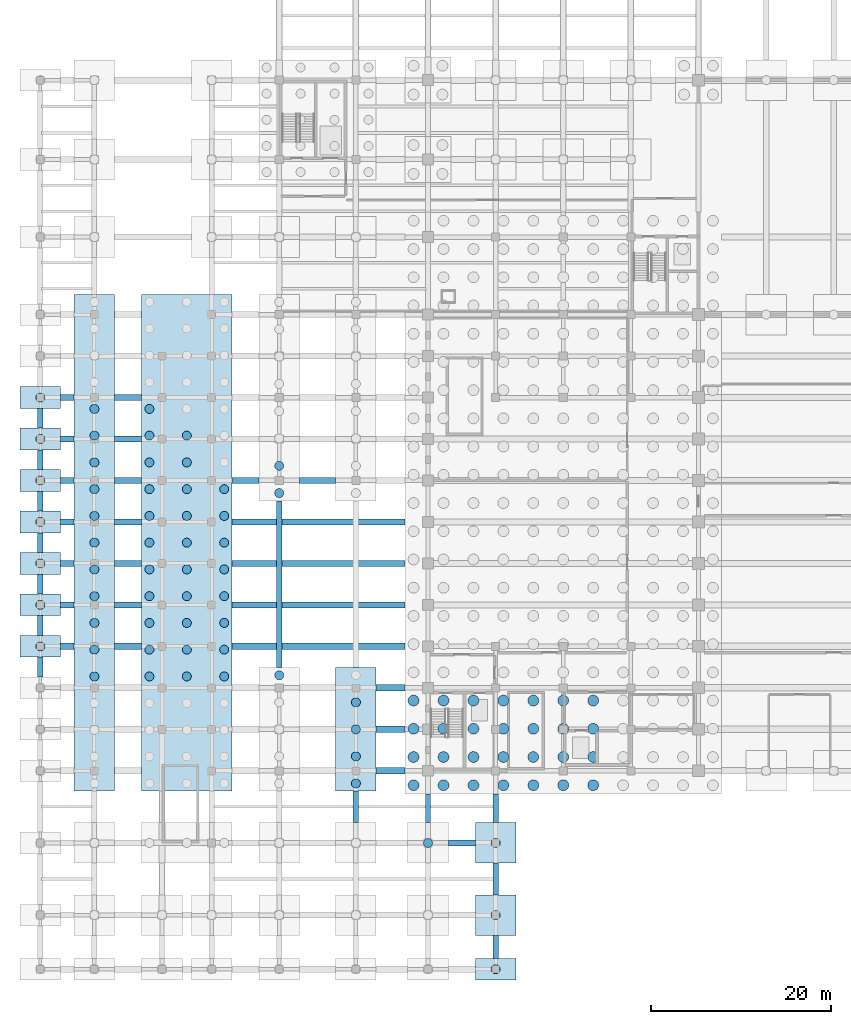
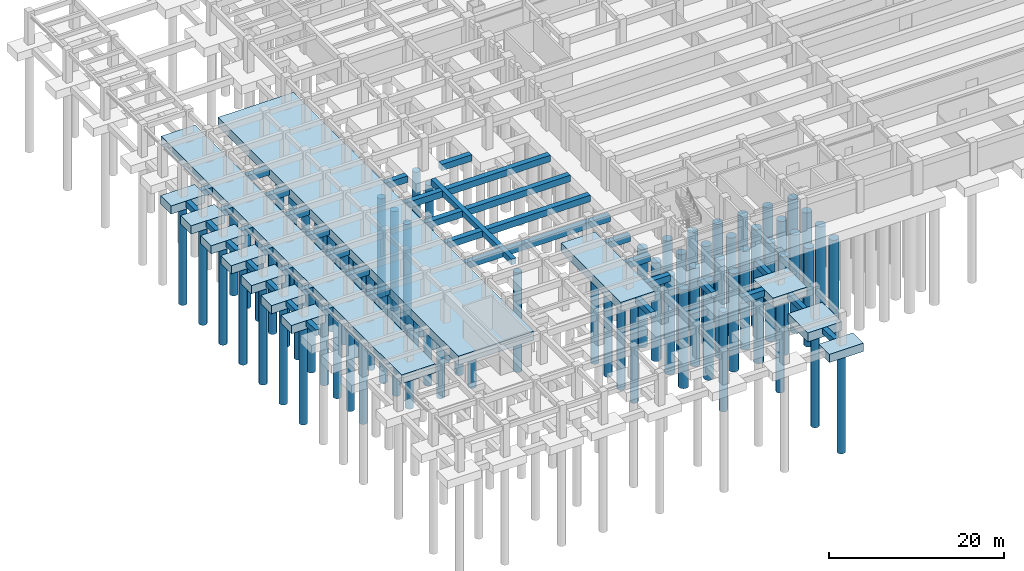
# One storey, part 2 of 32: 86 piles, 50 footings.
"""IFC4 building model written with IfcOpenShell, lengths in metres."""

import ifcopenshell
import ifcopenshell.guid

model = None  # the IFC model being written
_history = None  # IfcOwnerHistory: only IFC2X3 demands one
_inside = {}  # id of a spatial element -> (the spatial element, [elements in it])
_under = {}  # id of a project, library or spatial element -> (it, [spatial elements below it])
_declared = {}  # id of a project -> (the project, [libraries it declares])
_typed = {}  # id of a type object -> (the type object, [elements of that type])
_made_of = {}  # id of a material, layer set ... -> (it, [elements and type objects made of it])


def new_model(schema):
    """Start an empty IFC model of exactly this schema.

    Asked for "IFC4X3", IfcOpenShell would pick the latest addendum, in which some entities
    have other attributes; the version numbers below select the first issue.
    IFC2X3 requires an IfcOwnerHistory on every rooted entity: one is made here for all.
    """
    global model, _history
    if schema == "IFC4X3":
        model = ifcopenshell.file(schema_version=(4, 3, 0, 0))
    else:
        model = ifcopenshell.file(schema=schema)
    _inside.clear()
    _under.clear()
    _declared.clear()
    _typed.clear()
    _made_of.clear()
    _history = None
    if model.schema == "IFC2X3":
        org = make("IfcOrganization", Name="unknown")
        user = make(
            "IfcPersonAndOrganization",
            ThePerson=make("IfcPerson", FamilyName="unknown"),
            TheOrganization=org,
        )
        app = make(
            "IfcApplication",
            ApplicationDeveloper=org,
            Version="unknown",
            ApplicationFullName="unknown",
            ApplicationIdentifier="unknown",
        )
        _history = make(
            "IfcOwnerHistory",
            OwningUser=user,
            OwningApplication=app,
            ChangeAction="ADDED",
            CreationDate=0,
        )
    return model


def make(cls, **values):
    """One entity of the class cls with the attributes given. An attribute that is None is left unset."""
    return model.create_entity(
        cls, **{name: value for name, value in values.items() if value is not None}
    )


def rooted(cls, **values):
    """An entity with a GlobalId (a new one), such as an element, a storey or a relation."""
    return make(cls, GlobalId=ifcopenshell.guid.new(), OwnerHistory=_history, **values)


def si_unit(unit_type, name, prefix=None):
    """IfcSIUnit, for example si_unit("LENGTHUNIT", "METRE", prefix="MILLI")."""
    return make("IfcSIUnit", UnitType=unit_type, Prefix=prefix, Name=name)


def assignment(units):
    """IfcUnitAssignment: the units of a project."""
    return None if units is None else make("IfcUnitAssignment", Units=units)


def point(xyz):
    """IfcCartesianPoint."""
    return None if xyz is None else make("IfcCartesianPoint", Coordinates=xyz)


def direction(xyz):
    """IfcDirection."""
    return None if xyz is None else make("IfcDirection", DirectionRatios=xyz)


def frame(location, z_axis=None, x_axis=None):
    """IfcAxis2Placement3D, a coordinate frame: its origin and axes. An axis left out is left unset."""
    return make(
        "IfcAxis2Placement3D",
        Location=point(location),
        Axis=direction(z_axis),
        RefDirection=direction(x_axis),
    )


def frame_2d(location, x_axis=None):
    """IfcAxis2Placement2D, a coordinate frame in the plane: its origin and x axis."""
    return make(
        "IfcAxis2Placement2D", Location=point(location), RefDirection=direction(x_axis)
    )


def origin():
    """The frame at (0, 0, 0) with its axes left unset."""
    return frame((0.0, 0.0, 0.0))


def origin_2d():
    """The frame at (0, 0) in the plane with its x axis left unset."""
    return frame_2d((0.0, 0.0))


def place(relative_to, where):
    """IfcLocalPlacement: puts the frame where relative to a parent placement (None: the world)."""
    return make(
        "IfcLocalPlacement", PlacementRelTo=relative_to, RelativePlacement=where
    )


def context(
    kind, dimensions, precision=None, world=None, true_north=None, identifier=None
):
    """IfcGeometricRepresentationContext, for example the 3D "Model" context."""
    return make(
        "IfcGeometricRepresentationContext",
        ContextIdentifier=identifier,
        ContextType=kind,
        CoordinateSpaceDimension=dimensions,
        Precision=precision,
        WorldCoordinateSystem=world,
        TrueNorth=true_north,
    )


def subcontext(parent, identifier, kind, view, scale=None):
    """IfcGeometricRepresentationSubContext, for example "Body" below "Model"."""
    return make(
        "IfcGeometricRepresentationSubContext",
        ContextIdentifier=identifier,
        ContextType=kind,
        ParentContext=parent,
        TargetScale=scale,
        TargetView=view,
    )


def project(units=None, contexts=None):
    """IfcProject with its units and contexts."""
    return rooted(
        "IfcProject",
        Name="project",
        RepresentationContexts=contexts,
        UnitsInContext=assignment(units),
    )


def spatial(cls, under=None, at=None, **own):
    """A site, building, storey or space (cls), placed at a placement, below another one or the project."""
    s = rooted(cls, ObjectPlacement=at, **own)
    if under is not None:
        _under.setdefault(under.id(), (under, []))[1].append(s)
    return s


def profile(cls, at=None, kind="AREA", **sizes):
    """A parametric profile (cls). Its sizes go by their IFC names, for example OverallWidth=200.0."""
    return make(cls, ProfileType=kind, Position=at, **sizes)


def rectangle(**sizes):
    """IfcRectangleProfileDef."""
    return profile("IfcRectangleProfileDef", **sizes)


def circle(**sizes):
    """IfcCircleProfileDef."""
    return profile("IfcCircleProfileDef", **sizes)


def extrude(swept, where, along, depth):
    """IfcExtrudedAreaSolid: the profile swept, set in the frame where, extruded along a direction by depth."""
    return make(
        "IfcExtrudedAreaSolid",
        SweptArea=swept,
        Position=where,
        ExtrudedDirection=direction(along),
        Depth=depth,
    )


def shape(context_of_items, identifier, shape_type, items):
    """IfcShapeRepresentation: the items that make up one representation, for example the "Body"."""
    return make(
        "IfcShapeRepresentation",
        ContextOfItems=context_of_items,
        RepresentationIdentifier=identifier,
        RepresentationType=shape_type,
        Items=items,
    )


def material(Name=None, Category=None):
    """IfcMaterial."""
    return make("IfcMaterial", Name=Name, Category=Category)


def material_profile(
    of_material, cross_section, Name=None, Category=None, Priority=None
):
    """IfcMaterialProfile: a cross section and its material."""
    return make(
        "IfcMaterialProfile",
        Name=Name,
        Material=of_material,
        Profile=cross_section,
        Priority=Priority,
        Category=Category,
    )


def profile_set(profiles, Name=None, composite=None):
    """IfcMaterialProfileSet."""
    return make(
        "IfcMaterialProfileSet",
        Name=Name,
        MaterialProfiles=profiles,
        CompositeProfile=composite,
    )


def made_of(thing, what):
    """Note that an element or type object is made of a material, layer set ...; save() writes the relation."""
    if what is not None:
        _made_of.setdefault(what.id(), (what, []))[1].append(thing)
    return thing


def type_object(cls, material=None, **own):
    """A type object (cls), such as IfcWallType, which elements share."""
    return made_of(rooted(cls, **own), material)


def element(
    cls,
    number,
    at=None,
    inside=None,
    cuts=None,
    type_object=None,
    material=None,
    context=None,
    identifier="Body",
    shape_type=None,
    held_by="IfcProductDefinitionShape",
    body=None,
    shapes=None,
    **own,
):
    """One element of the class cls, such as IfcWall. Its Tag is "e" and its number.

    at: its placement. inside: the storey or other place that contains it. cuts: it is an
    opening in that element (IfcRelVoidsElement). A single representation is given by context,
    identifier, shape_type and body (its items); several are given by shapes. held_by: the class
    of the entity that holds the representations. save() writes the other relations.
    """
    e = rooted(cls, Tag="e%d" % number, ObjectPlacement=at, **own)
    if body is not None:
        shapes = [shape(context, identifier, shape_type, body)]
    if shapes is not None:
        e.Representation = make(held_by, Representations=shapes)
    if inside is not None:
        _inside.setdefault(inside.id(), (inside, []))[1].append(e)
    if cuts is not None:
        rooted(
            "IfcRelVoidsElement", RelatingBuildingElement=cuts, RelatedOpeningElement=e
        )
    if type_object is not None:
        _typed.setdefault(type_object.id(), (type_object, []))[1].append(e)
    return made_of(e, material)


def aggregate(whole, parts):
    """IfcRelAggregates: a whole, such as a stair, and the parts it consists of."""
    return rooted("IfcRelAggregates", RelatingObject=whole, RelatedObjects=parts)


def save(model, path):
    """Write the relations noted so far, then the file.

    IfcRelAggregates (storeys below a building ...), IfcRelContainedInSpatialStructure (elements
    in a storey), IfcRelDefinesByType, IfcRelAssociatesMaterial and IfcRelDeclares: one each for
    every whole, place, type object, material and project.
    """
    for whole, parts in _under.values():
        aggregate(whole, parts)
    for where, things in _inside.values():
        rooted(
            "IfcRelContainedInSpatialStructure",
            RelatedElements=things,
            RelatingStructure=where,
        )
    for kind, things in _typed.values():
        rooted("IfcRelDefinesByType", RelatedObjects=things, RelatingType=kind)
    for what, things in _made_of.values():
        rooted("IfcRelAssociatesMaterial", RelatedObjects=things, RelatingMaterial=what)
    for by, libraries in _declared.values():
        rooted("IfcRelDeclares", RelatingContext=by, RelatedDefinitions=libraries)
    model.write(path)


model = new_model("IFC4")

# Units and contexts
model_context = context("Model", 3, precision=1e-05, world=origin(), true_north=direction((0.0, 1.0)))
body_context = subcontext(model_context, "Body", "Model", "MODEL_VIEW")
ifc_project = project(units=[si_unit("LENGTHUNIT", "METRE"), si_unit("AREAUNIT", "SQUARE_METRE"), si_unit("VOLUMEUNIT", "CUBIC_METRE"), si_unit("PLANEANGLEUNIT", "RADIAN"), si_unit("MASSUNIT", "GRAM", prefix="KILO")], contexts=[model_context])

# Site, building, storey
site_placement = place(None, origin())
site = spatial("IfcSite", under=ifc_project, at=site_placement, CompositionType="ELEMENT")
building_placement = place(site_placement, origin())
building = spatial("IfcBuilding", under=site, at=building_placement, Name="Muzn Square Opera House", CompositionType="ELEMENT")
storey_placement = place(building_placement, frame((0.0, 0.0, -4.199951171875)))
storey = spatial("IfcBuildingStorey", under=building, at=storey_placement, Name="B1", CompositionType="ELEMENT", Elevation=-4.199951171875)

# Piles
ifc_material = material(Name="Concrete C40/50", Category="concrete")
ifc_material_profile_1 = material_profile(ifc_material, circle(Radius=0.5, at=origin_2d()), Name="BORED PILE D1000", Category="concrete")
ifc_profile_set_1 = profile_set([ifc_material_profile_1], Name="Concrete C40/50")
pile_type_1 = type_object("IfcPileType", Name="Bored Pile D1000", PredefinedType="BORED", material=ifc_profile_set_1)
pile_placement = place(storey_placement, frame((50.5, 0.0, -1.469970703125), z_axis=(0.0, 0.0, -1.0), x_axis=(1.0, 0.0, 0.0)))
element("IfcPile", 1, at=pile_placement, inside=storey, type_object=pile_type_1, Name="Bored Pile BP-B1-BP-D1000-505_0-8", PredefinedType="BORED", context=body_context, shape_type="SweptSolid", body=[
    extrude(circle(Radius=0.5, at=origin_2d()), origin(), (0.0, 0.0, 1.0), 14.030029296875),
])
for number, where, z_axis, x_axis, name in (
    (2, (50.5, 6.0, -1.570068359375), (0.0, 0.0, -1.0), (1.0, 0.0, 0.0), "Bored Pile BP-B1-BP-D1000-505_60-23"),
    (3, (43.0, 14.0, -1.570068359375), (0.0, 0.0, -1.0), (1.0, 0.0, 0.0), "Bored Pile BP-B1-BP-D1000-430_140-39"),
    (4, (50.5, 14.0, -1.570068359375), (0.0, 0.0, -1.0), (1.0, 0.0, 0.0), "Bored Pile BP-B1-BP-D1000-505_140-40"),
    (5, (6.0, 32.466796875, -1.570068359375), (0.0, 0.0, -1.0), (1.0, 0.0, 0.0), "Bored Pile BP-B1-BP-D1000-60_325-517"),
    (6, (6.0, 35.433349609375, -1.570068359375), (0.0, 0.0, -1.0), (1.0, 0.0, 0.0), "Bored Pile BP-B1-BP-D1000-60_354-518"),
    (7, (6.0, 38.39990234375, -1.570068359375), (0.0, 0.0, -1.0), (1.0, 0.0, 0.0), "Bored Pile BP-B1-BP-D1000-60_384-519"),
    (8, (6.0, 41.36669921875, -1.570068359375), (0.0, 0.0, -1.0), (1.0, 0.0, 0.0), "Bored Pile BP-B1-BP-D1000-60_414-520"),
    (9, (6.0, 44.333251953125, -1.570068359375), (0.0, 0.0, -1.0), (1.0, 0.0, 0.0), "Bored Pile BP-B1-BP-D1000-60_443-521"),
    (10, (6.0, 47.300048828125, -1.570068359375), (0.0, 0.0, -1.0), (1.0, 0.0, 0.0), "Bored Pile BP-B1-BP-D1000-60_473-522"),
    (11, (6.0, 50.2666015625, -1.570068359375), (0.0, 0.0, -1.0), (1.0, 0.0, 0.0), "Bored Pile BP-B1-BP-D1000-60_503-523"),
    (12, (6.0, 53.2333984375, -1.570068359375), (0.0, 0.0, -1.0), (1.0, 0.0, 0.0), "Bored Pile BP-B1-BP-D1000-60_532-524"),
    (13, (6.0, 56.199951171875, -1.570068359375), (0.0, 0.0, -1.0), (1.0, 0.0, 0.0), "Bored Pile BP-B1-BP-D1000-60_562-525"),
    (14, (6.0, 59.166748046875, -1.570068359375), (0.0, 0.0, -1.0), (1.0, 0.0, 0.0), "Bored Pile BP-B1-BP-D1000-60_592-526"),
    (15, (6.0, 62.13330078125, -1.570068359375), (0.0, 0.0, -1.0), (1.0, 0.0, 0.0), "Bored Pile BP-B1-BP-D1000-60_621-527"),
    (16, (12.10009765625, 32.466796875, -1.570068359375), (0.0, 0.0, -1.0), (1.0, 0.0, 0.0), "Bored Pile BP-B1-BP-D1000-121_325-536"),
    (17, (12.10009765625, 35.433349609375, -1.570068359375), (0.0, 0.0, -1.0), (1.0, 0.0, 0.0), "Bored Pile BP-B1-BP-D1000-121_354-537"),
    (18, (12.10009765625, 38.39990234375, -1.570068359375), (0.0, 0.0, -1.0), (1.0, 0.0, 0.0), "Bored Pile BP-B1-BP-D1000-121_384-538"),
    (19, (12.10009765625, 41.36669921875, -1.570068359375), (0.0, 0.0, -1.0), (1.0, 0.0, 0.0), "Bored Pile BP-B1-BP-D1000-121_414-539"),
    (20, (12.10009765625, 44.333251953125, -1.570068359375), (0.0, 0.0, -1.0), (1.0, 0.0, 0.0), "Bored Pile BP-B1-BP-D1000-121_443-540"),
    (21, (12.10009765625, 47.300048828125, -1.570068359375), (0.0, 0.0, -1.0), (1.0, 0.0, 0.0), "Bored Pile BP-B1-BP-D1000-121_473-541"),
    (22, (12.10009765625, 50.2666015625, -1.570068359375), (0.0, 0.0, -1.0), (1.0, 0.0, 0.0), "Bored Pile BP-B1-BP-D1000-121_503-542"),
    (23, (12.10009765625, 53.2333984375, -1.570068359375), (0.0, 0.0, -1.0), (1.0, 0.0, 0.0), "Bored Pile BP-B1-BP-D1000-121_532-543"),
    (24, (12.10009765625, 56.199951171875, -1.570068359375), (0.0, 0.0, -1.0), (1.0, 0.0, 0.0), "Bored Pile BP-B1-BP-D1000-121_562-544"),
    (25, (12.10009765625, 59.166748046875, -1.570068359375), (0.0, 0.0, -1.0), (1.0, 0.0, 0.0), "Bored Pile BP-B1-BP-D1000-121_592-545"),
    (26, (12.10009765625, 62.13330078125, -1.570068359375), (0.0, 0.0, -1.0), (1.0, 0.0, 0.0), "Bored Pile BP-B1-BP-D1000-121_621-546"),
    (27, (16.25, 32.466796875, -1.570068359375), (0.0, 0.0, -1.0), (1.0, 0.0, 0.0), "Bored Pile BP-B1-BP-D1000-162_325-555"),
    (28, (16.25, 35.433349609375, -1.570068359375), (0.0, 0.0, -1.0), (1.0, 0.0, 0.0), "Bored Pile BP-B1-BP-D1000-162_354-556"),
    (29, (16.25, 38.39990234375, -1.570068359375), (0.0, 0.0, -1.0), (1.0, 0.0, 0.0), "Bored Pile BP-B1-BP-D1000-162_384-557"),
    (30, (16.25, 41.36669921875, -1.570068359375), (0.0, 0.0, -1.0), (1.0, 0.0, 0.0), "Bored Pile BP-B1-BP-D1000-162_414-558"),
    (31, (16.25, 44.333251953125, -1.570068359375), (0.0, 0.0, -1.0), (1.0, 0.0, 0.0), "Bored Pile BP-B1-BP-D1000-162_443-559"),
    (32, (16.25, 47.300048828125, -1.570068359375), (0.0, 0.0, -1.0), (1.0, 0.0, 0.0), "Bored Pile BP-B1-BP-D1000-162_473-560"),
    (33, (16.25, 50.2666015625, -1.570068359375), (0.0, 0.0, -1.0), (1.0, 0.0, 0.0), "Bored Pile BP-B1-BP-D1000-162_503-561"),
    (34, (16.25, 53.2333984375, -1.570068359375), (0.0, 0.0, -1.0), (1.0, 0.0, 0.0), "Bored Pile BP-B1-BP-D1000-162_532-562"),
    (35, (16.25, 56.199951171875, -1.570068359375), (0.0, 0.0, -1.0), (1.0, 0.0, 0.0), "Bored Pile BP-B1-BP-D1000-162_562-563"),
    (36, (16.25, 59.166748046875, -1.570068359375), (0.0, 0.0, -1.0), (1.0, 0.0, 0.0), "Bored Pile BP-B1-BP-D1000-162_592-564"),
    (37, (20.39990234375, 32.466796875, -1.570068359375), (0.0, 0.0, -1.0), (1.0, 0.0, 0.0), "Bored Pile BP-B1-BP-D1000-204_325-574"),
    (38, (20.39990234375, 35.433349609375, -1.570068359375), (0.0, 0.0, -1.0), (1.0, 0.0, 0.0), "Bored Pile BP-B1-BP-D1000-204_354-575"),
    (39, (20.39990234375, 38.39990234375, -1.570068359375), (0.0, 0.0, -1.0), (1.0, 0.0, 0.0), "Bored Pile BP-B1-BP-D1000-204_384-576"),
    (40, (20.39990234375, 41.36669921875, -1.570068359375), (0.0, 0.0, -1.0), (1.0, 0.0, 0.0), "Bored Pile BP-B1-BP-D1000-204_414-577"),
    (41, (20.39990234375, 44.333251953125, -1.570068359375), (0.0, 0.0, -1.0), (1.0, 0.0, 0.0), "Bored Pile BP-B1-BP-D1000-204_443-578"),
    (42, (20.39990234375, 47.300048828125, -1.570068359375), (0.0, 0.0, -1.0), (1.0, 0.0, 0.0), "Bored Pile BP-B1-BP-D1000-204_473-579"),
    (43, (20.39990234375, 50.2666015625, -1.570068359375), (0.0, 0.0, -1.0), (1.0, 0.0, 0.0), "Bored Pile BP-B1-BP-D1000-204_503-580"),
    (44, (20.39990234375, 53.2333984375, -1.570068359375), (0.0, 0.0, -1.0), (1.0, 0.0, 0.0), "Bored Pile BP-B1-BP-D1000-204_532-581"),
    (45, (26.5, 32.60009765625, -1.570068359375), (0.0, 0.0, -1.0), (1.0, 0.0, 0.0), "Bored Pile BP-B1-BP-D1000-265_326-593"),
    (46, (35.0, 20.60009765625, -1.570068359375), (0.0, 0.0, -1.0), (1.0, 0.0, 0.0), "Bored Pile BP-B1-BP-D1000-350_206-594"),
    (47, (35.0, 23.60009765625, -1.570068359375), (0.0, 0.0, -1.0), (1.0, 0.0, 0.0), "Bored Pile BP-B1-BP-D1000-350_236-595"),
    (48, (35.0, 26.60009765625, -1.570068359375), (0.0, 0.0, -1.0), (1.0, 0.0, 0.0), "Bored Pile BP-B1-BP-D1000-350_266-596"),
    (49, (35.0, 29.60009765625, -1.570068359375), (0.0, 0.0, -1.0), (1.0, 0.0, 0.0), "Bored Pile BP-B1-BP-D1000-350_296-597"),
):
    element("IfcPile", number, at=place(storey_placement, frame(where, z_axis=z_axis, x_axis=x_axis)), inside=storey, type_object=pile_type_1, Name=name, PredefinedType="BORED", context=body_context, shape_type="SweptSolid", body=[
        extrude(circle(Radius=0.5, at=origin_2d()), origin(), (0.0, 0.0, 1.0), 13.929931640625),
    ])
for number, where, z_axis, x_axis, name in (
    (50, (0.0, 35.800048828125, -1.469970703125), (0.0, 0.0, -1.0), (1.0, 0.0, 0.0), "Bored Pile BP-B1-BP-D1000-0_358-694"),
    (51, (0.0, 40.39990234375, -1.469970703125), (0.0, 0.0, -1.0), (1.0, 0.0, 0.0), "Bored Pile BP-B1-BP-D1000-0_404-696"),
    (52, (0.0, 45.0, -1.469970703125), (0.0, 0.0, -1.0), (1.0, 0.0, 0.0), "Bored Pile BP-B1-BP-D1000-0_450-698"),
    (53, (0.0, 49.60009765625, -1.469970703125), (0.0, 0.0, -1.0), (1.0, 0.0, 0.0), "Bored Pile BP-B1-BP-D1000-0_496-700"),
):
    element("IfcPile", number, at=place(storey_placement, frame(where, z_axis=z_axis, x_axis=x_axis)), inside=storey, type_object=pile_type_1, Name=name, PredefinedType="BORED", context=body_context, shape_type="SweptSolid", body=[
        extrude(circle(Radius=0.5, at=origin_2d()), origin(), (0.0, 0.0, 1.0), 14.030029296875),
    ])
for number, where, z_axis, x_axis, name in (
    (54, (26.5, 52.800048828125, -1.570068359375), (0.0, 0.0, -1.0), (1.0, 0.0, 0.0), "Bored Pile BP-B1-BP-D1000-265_528-702"),
    (55, (26.5, 55.82861328125, -1.570068359375), (0.0, 0.0, -1.0), (1.0, 0.0, 0.0), "Bored Pile BP-B1-BP-D1000-265_558-703"),
):
    element("IfcPile", number, at=place(storey_placement, frame(where, z_axis=z_axis, x_axis=x_axis)), inside=storey, type_object=pile_type_1, Name=name, PredefinedType="BORED", context=body_context, shape_type="SweptSolid", body=[
        extrude(circle(Radius=0.5, at=origin_2d()), origin(), (0.0, 0.0, 1.0), 13.929931640625),
    ])
for number, where, z_axis, x_axis, name in (
    (56, (0.0, 54.199951171875, -1.469970703125), (0.0, 0.0, -1.0), (1.0, 0.0, 0.0), "Bored Pile BP-B1-BP-D1000-0_542-734"),
    (57, (0.0, 58.800048828125, -1.469970703125), (0.0, 0.0, -1.0), (1.0, 0.0, 0.0), "Bored Pile BP-B1-BP-D1000-0_588-736"),
    (58, (0.0, 63.39990234375, -1.469970703125), (0.0, 0.0, -1.0), (1.0, 0.0, 0.0), "Bored Pile BP-B1-BP-D1000-0_634-738"),
):
    element("IfcPile", number, at=place(storey_placement, frame(where, z_axis=z_axis, x_axis=x_axis)), inside=storey, type_object=pile_type_1, Name=name, PredefinedType="BORED", context=body_context, shape_type="SweptSolid", body=[
        extrude(circle(Radius=0.5, at=origin_2d()), origin(), (0.0, 0.0, 1.0), 14.030029296875),
    ])
ifc_material_profile_2 = material_profile(ifc_material, circle(Radius=0.60009765625, at=origin_2d()), Name="BORED PILE D1200", Category="concrete")
ifc_profile_set_2 = profile_set([ifc_material_profile_2], Name="Concrete C40/50")
pile_type_2 = type_object("IfcPileType", Name="Bored Pile D1200", PredefinedType="BORED", material=ifc_profile_set_2)
for number, where, z_axis, x_axis, name in (
    (59, (41.39990234375, 20.39990234375, -1.719970703125), (0.0, 0.0, -1.0), (1.0, 0.0, 0.0), "Bored Pile BP-B1-BP-D1200-414_204-51"),
    (60, (41.39990234375, 23.530029296875, -1.719970703125), (0.0, 0.0, -1.0), (1.0, 0.0, 0.0), "Bored Pile BP-B1-BP-D1200-414_235-52"),
    (61, (41.39990234375, 26.659912109375, -1.719970703125), (0.0, 0.0, -1.0), (1.0, 0.0, 0.0), "Bored Pile BP-B1-BP-D1200-414_267-53"),
    (62, (41.39990234375, 29.7900390625, -1.719970703125), (0.0, 0.0, -1.0), (1.0, 0.0, 0.0), "Bored Pile BP-B1-BP-D1200-414_298-54"),
    (63, (44.719970703125, 20.39990234375, -1.719970703125), (0.0, 0.0, -1.0), (1.0, 0.0, 0.0), "Bored Pile BP-B1-BP-D1200-447_204-72"),
    (64, (44.719970703125, 23.530029296875, -1.719970703125), (0.0, 0.0, -1.0), (1.0, 0.0, 0.0), "Bored Pile BP-B1-BP-D1200-447_235-73"),
    (65, (44.719970703125, 26.659912109375, -1.719970703125), (0.0, 0.0, -1.0), (1.0, 0.0, 0.0), "Bored Pile BP-B1-BP-D1200-447_267-74"),
    (66, (44.719970703125, 29.7900390625, -1.719970703125), (0.0, 0.0, -1.0), (1.0, 0.0, 0.0), "Bored Pile BP-B1-BP-D1200-447_298-75"),
    (67, (48.0400390625, 20.39990234375, -1.719970703125), (0.0, 0.0, -1.0), (1.0, 0.0, 0.0), "Bored Pile BP-B1-BP-D1200-480_204-93"),
    (68, (48.0400390625, 23.530029296875, -1.719970703125), (0.0, 0.0, -1.0), (1.0, 0.0, 0.0), "Bored Pile BP-B1-BP-D1200-480_235-94"),
    (69, (48.0400390625, 26.659912109375, -1.719970703125), (0.0, 0.0, -1.0), (1.0, 0.0, 0.0), "Bored Pile BP-B1-BP-D1200-480_267-95"),
    (70, (48.0400390625, 29.7900390625, -1.719970703125), (0.0, 0.0, -1.0), (1.0, 0.0, 0.0), "Bored Pile BP-B1-BP-D1200-480_298-96"),
    (71, (51.360107421875, 20.39990234375, -1.719970703125), (0.0, 0.0, -1.0), (1.0, 0.0, 0.0), "Bored Pile BP-B1-BP-D1200-514_204-114"),
    (72, (51.360107421875, 23.530029296875, -1.719970703125), (0.0, 0.0, -1.0), (1.0, 0.0, 0.0), "Bored Pile BP-B1-BP-D1200-514_235-115"),
    (73, (51.360107421875, 26.659912109375, -1.719970703125), (0.0, 0.0, -1.0), (1.0, 0.0, 0.0), "Bored Pile BP-B1-BP-D1200-514_267-116"),
    (74, (51.360107421875, 29.7900390625, -1.719970703125), (0.0, 0.0, -1.0), (1.0, 0.0, 0.0), "Bored Pile BP-B1-BP-D1200-514_298-117"),
    (75, (54.679931640625, 20.39990234375, -1.719970703125), (0.0, 0.0, -1.0), (1.0, 0.0, 0.0), "Bored Pile BP-B1-BP-D1200-547_204-135"),
    (76, (54.679931640625, 23.530029296875, -1.719970703125), (0.0, 0.0, -1.0), (1.0, 0.0, 0.0), "Bored Pile BP-B1-BP-D1200-547_235-136"),
    (77, (54.679931640625, 26.659912109375, -1.719970703125), (0.0, 0.0, -1.0), (1.0, 0.0, 0.0), "Bored Pile BP-B1-BP-D1200-547_267-137"),
    (78, (54.679931640625, 29.7900390625, -1.719970703125), (0.0, 0.0, -1.0), (1.0, 0.0, 0.0), "Bored Pile BP-B1-BP-D1200-547_298-138"),
    (79, (58.0, 20.39990234375, -1.719970703125), (0.0, 0.0, -1.0), (1.0, 0.0, 0.0), "Bored Pile BP-B1-BP-D1200-580_204-156"),
    (80, (58.0, 23.530029296875, -1.719970703125), (0.0, 0.0, -1.0), (1.0, 0.0, 0.0), "Bored Pile BP-B1-BP-D1200-580_235-157"),
    (81, (58.0, 26.659912109375, -1.719970703125), (0.0, 0.0, -1.0), (1.0, 0.0, 0.0), "Bored Pile BP-B1-BP-D1200-580_267-158"),
    (82, (58.0, 29.7900390625, -1.719970703125), (0.0, 0.0, -1.0), (1.0, 0.0, 0.0), "Bored Pile BP-B1-BP-D1200-580_298-159"),
    (83, (61.320068359375, 20.39990234375, -1.719970703125), (0.0, 0.0, -1.0), (1.0, 0.0, 0.0), "Bored Pile BP-B1-BP-D1200-613_204-177"),
    (84, (61.320068359375, 23.530029296875, -1.719970703125), (0.0, 0.0, -1.0), (1.0, 0.0, 0.0), "Bored Pile BP-B1-BP-D1200-613_235-178"),
    (85, (61.320068359375, 26.659912109375, -1.719970703125), (0.0, 0.0, -1.0), (1.0, 0.0, 0.0), "Bored Pile BP-B1-BP-D1200-613_267-179"),
    (86, (61.320068359375, 29.7900390625, -1.719970703125), (0.0, 0.0, -1.0), (1.0, 0.0, 0.0), "Bored Pile BP-B1-BP-D1200-613_298-180"),
):
    element("IfcPile", number, at=place(storey_placement, frame(where, z_axis=z_axis, x_axis=x_axis)), inside=storey, type_object=pile_type_2, Name=name, PredefinedType="BORED", context=body_context, shape_type="SweptSolid", body=[
        extrude(circle(Radius=0.60009765625, at=origin_2d()), origin(), (0.0, 0.0, 1.0), 13.780029296875),
    ])

# Footings
ifc_material_profile_3 = material_profile(ifc_material, rectangle(XDim=0.60009765625, YDim=0.800048828125, at=origin_2d()), Name="RCTB 600x800", Category="concrete")
ifc_profile_set_3 = profile_set([ifc_material_profile_3], Name="Concrete C40/50")
footing_type_1 = type_object("IfcFootingType", Name="Foundation Tie Beam 600x800", PredefinedType="FOOTING_BEAM", material=ifc_profile_set_3)
footing_1_placement = place(storey_placement, frame((0.0, 32.39990234375, -0.820068359375), z_axis=(0.0, 1.0, 0.0), x_axis=(-1.0, 0.0, 0.0)))
element("IfcFooting", 87, at=footing_1_placement, inside=storey, type_object=footing_type_1, Name="Foundation Tie Beam FTB-Y226", PredefinedType="FOOTING_BEAM", context=body_context, shape_type="SweptSolid", body=[
    extrude(rectangle(XDim=0.60009765625, YDim=0.800048828125, at=origin_2d()), origin(), (0.0, 0.0, 1.0), 2.2001953125),
])
for number, where, z_axis, x_axis, name in (
    (88, (0.0, 37.0, -0.820068359375), (0.0, 1.0, 0.0), (-1.0, 0.0, 0.0), "Foundation Tie Beam FTB-Y227"),
    (89, (0.0, 41.60009765625, -0.820068359375), (0.0, 1.0, 0.0), (-1.0, 0.0, 0.0), "Foundation Tie Beam FTB-Y228"),
    (90, (0.0, 46.199951171875, -0.820068359375), (0.0, 1.0, 0.0), (-1.0, 0.0, 0.0), "Foundation Tie Beam FTB-Y229"),
    (91, (0.0, 50.800048828125, -0.820068359375), (0.0, 1.0, 0.0), (-1.0, 0.0, 0.0), "Foundation Tie Beam FTB-Y230"),
):
    element("IfcFooting", number, at=place(storey_placement, frame(where, z_axis=z_axis, x_axis=x_axis)), inside=storey, type_object=footing_type_1, Name=name, PredefinedType="FOOTING_BEAM", context=body_context, shape_type="SweptSolid", body=[
        extrude(rectangle(XDim=0.60009765625, YDim=0.800048828125, at=origin_2d()), origin(), (0.0, 0.0, 1.0), 2.199951171875),
    ])
footing_2_placement = place(storey_placement, frame((0.0, 55.39990234375, -0.820068359375), z_axis=(0.0, 1.0, 0.0), x_axis=(-1.0, 0.0, 0.0)))
element("IfcFooting", 92, at=footing_2_placement, inside=storey, type_object=footing_type_1, Name="Foundation Tie Beam FTB-Y231", PredefinedType="FOOTING_BEAM", context=body_context, shape_type="SweptSolid", body=[
    extrude(rectangle(XDim=0.60009765625, YDim=0.800048828125, at=origin_2d()), origin(), (0.0, 0.0, 1.0), 2.2001953125),
])
footing_3_placement = place(storey_placement, frame((0.0, 60.0, -0.820068359375), z_axis=(0.0, 1.0, 0.0), x_axis=(-1.0, 0.0, 0.0)))
element("IfcFooting", 93, at=footing_3_placement, inside=storey, type_object=footing_type_1, Name="Foundation Tie Beam FTB-Y232", PredefinedType="FOOTING_BEAM", context=body_context, shape_type="SweptSolid", body=[
    extrude(rectangle(XDim=0.60009765625, YDim=0.800048828125, at=origin_2d()), origin(), (0.0, 0.0, 1.0), 2.199951171875),
])
footing_4_placement = place(storey_placement, frame((26.5, 33.449951171875, -0.820068359375), z_axis=(0.0, 1.0, 0.0), x_axis=(-1.0, 0.0, 0.0)))
element("IfcFooting", 94, at=footing_4_placement, inside=storey, type_object=footing_type_1, Name="Foundation Tie Beam FTB-Y256", PredefinedType="FOOTING_BEAM", context=body_context, shape_type="SweptSolid", body=[
    extrude(rectangle(XDim=0.60009765625, YDim=0.800048828125, at=origin_2d()), origin(), (0.0, 0.0, 1.0), 18.5),
])
footing_5_placement = place(storey_placement, frame((35.0, 16.25, -0.820068359375), z_axis=(0.0, 1.0, 0.0), x_axis=(-1.0, 0.0, 0.0)))
element("IfcFooting", 95, at=footing_5_placement, inside=storey, type_object=footing_type_1, Name="Foundation Tie Beam FTB-Y262", PredefinedType="FOOTING_BEAM", context=body_context, shape_type="SweptSolid", body=[
    extrude(rectangle(XDim=0.60009765625, YDim=0.800048828125, at=origin_2d()), origin(), (0.0, 0.0, 1.0), 3.5),
])
footing_6_placement = place(storey_placement, frame((43.0, 16.25, -0.820068359375), z_axis=(0.0, 1.0, 0.0), x_axis=(-1.0, 0.0, 0.0)))
element("IfcFooting", 96, at=footing_6_placement, inside=storey, type_object=footing_type_1, Name="Foundation Tie Beam FTB-Y269", PredefinedType="FOOTING_BEAM", context=body_context, shape_type="SweptSolid", body=[
    extrude(rectangle(XDim=0.60009765625, YDim=0.800048828125, at=origin_2d()), origin(), (0.0, 0.0, 1.0), 3.199951171875),
])
footing_7_placement = place(storey_placement, frame((50.5, 1.199951171875, -0.820068359375), z_axis=(0.0, 1.0, 0.0), x_axis=(-1.0, 0.0, 0.0)))
element("IfcFooting", 97, at=footing_7_placement, inside=storey, type_object=footing_type_1, Name="Foundation Tie Beam FTB-Y273", PredefinedType="FOOTING_BEAM", context=body_context, shape_type="SweptSolid", body=[
    extrude(rectangle(XDim=0.60009765625, YDim=0.800048828125, at=origin_2d()), origin(), (0.0, 0.0, 1.0), 2.550048828125),
])
footing_8_placement = place(storey_placement, frame((50.5, 8.25, -0.820068359375), z_axis=(0.0, 1.0, 0.0), x_axis=(-1.0, 0.0, 0.0)))
element("IfcFooting", 98, at=footing_8_placement, inside=storey, type_object=footing_type_1, Name="Foundation Tie Beam FTB-Y274", PredefinedType="FOOTING_BEAM", context=body_context, shape_type="SweptSolid", body=[
    extrude(rectangle(XDim=0.60009765625, YDim=0.800048828125, at=origin_2d()), origin(), (0.0, 0.0, 1.0), 3.5),
])
footing_9_placement = place(storey_placement, frame((50.5, 16.25, -0.820068359375), z_axis=(0.0, 1.0, 0.0), x_axis=(-1.0, 0.0, 0.0)))
element("IfcFooting", 99, at=footing_9_placement, inside=storey, type_object=footing_type_1, Name="Foundation Tie Beam FTB-Y275", PredefinedType="FOOTING_BEAM", context=body_context, shape_type="SweptSolid", body=[
    extrude(rectangle(XDim=0.60009765625, YDim=0.800048828125, at=origin_2d()), origin(), (0.0, 0.0, 1.0), 3.199951171875),
])
ifc_material_profile_4 = material_profile(ifc_material, rectangle(XDim=0.699951171875, YDim=0.89990234375, at=origin_2d()), Name="RCTB 700x900", Category="concrete")
ifc_profile_set_4 = profile_set([ifc_material_profile_4], Name="Concrete C40/50")
footing_type_2 = type_object("IfcFootingType", Name="Foundation Tie Beam 700x900", PredefinedType="FOOTING_BEAM", material=ifc_profile_set_4)
footing_10_placement = place(storey_placement, frame((45.25, 14.0, -0.8701171875), z_axis=(1.0, 0.0, 0.0), x_axis=(0.0, 1.0, 0.0)))
element("IfcFooting", 100, at=footing_10_placement, inside=storey, type_object=footing_type_2, Name="Foundation Tie Beam FTB-X034", PredefinedType="FOOTING_BEAM", context=body_context, shape_type="SweptSolid", body=[
    extrude(rectangle(XDim=0.699951171875, YDim=0.89990234375, at=origin_2d()), origin(), (0.0, 0.0, 1.0), 3.0),
])
for number, where, z_axis, x_axis, name in (
    (101, (37.25, 22.0, -0.8701171875), (1.0, 0.0, 0.0), (0.0, 1.0, 0.0), "Foundation Tie Beam FTB-X045"),
    (102, (37.25, 26.60009765625, -0.8701171875), (1.0, 0.0, 0.0), (0.0, 1.0, 0.0), "Foundation Tie Beam FTB-X059"),
    (103, (37.25, 31.199951171875, -0.8701171875), (1.0, 0.0, 0.0), (0.0, 1.0, 0.0), "Foundation Tie Beam FTB-X070"),
):
    element("IfcFooting", number, at=place(storey_placement, frame(where, z_axis=z_axis, x_axis=x_axis)), inside=storey, type_object=footing_type_2, Name=name, PredefinedType="FOOTING_BEAM", context=body_context, shape_type="SweptSolid", body=[
        extrude(rectangle(XDim=0.699951171875, YDim=0.89990234375, at=origin_2d()), origin(), (0.0, 0.0, 1.0), 3.199951171875),
    ])
footing_11_placement = place(storey_placement, frame((2.25, 35.800048828125, -0.8701171875), z_axis=(1.0, 0.0, 0.0), x_axis=(0.0, 1.0, 0.0)))
element("IfcFooting", 104, at=footing_11_placement, inside=storey, type_object=footing_type_2, Name="Foundation Tie Beam FTB-X077", PredefinedType="FOOTING_BEAM", context=body_context, shape_type="SweptSolid", body=[
    extrude(rectangle(XDim=0.699951171875, YDim=0.89990234375, at=origin_2d()), origin(), (0.0, 0.0, 1.0), 1.5),
])
footing_12_placement = place(storey_placement, frame((8.25, 35.800048828125, -0.8701171875), z_axis=(1.0, 0.0, 0.0), x_axis=(0.0, 1.0, 0.0)))
element("IfcFooting", 105, at=footing_12_placement, inside=storey, type_object=footing_type_2, Name="Foundation Tie Beam FTB-X078", PredefinedType="FOOTING_BEAM", context=body_context, shape_type="SweptSolid", body=[
    extrude(rectangle(XDim=0.699951171875, YDim=0.89990234375, at=origin_2d()), origin(), (0.0, 0.0, 1.0), 3.0),
])
footing_13_placement = place(storey_placement, frame((21.25, 35.800048828125, -0.8701171875), z_axis=(1.0, 0.0, 0.0), x_axis=(0.0, 1.0, 0.0)))
element("IfcFooting", 106, at=footing_13_placement, inside=storey, type_object=footing_type_2, Name="Foundation Tie Beam FTB-X079", PredefinedType="FOOTING_BEAM", context=body_context, shape_type="SweptSolid", body=[
    extrude(rectangle(XDim=0.699951171875, YDim=0.89990234375, at=origin_2d()), origin(), (0.0, 0.0, 1.0), 19.199951171875),
])
footing_14_placement = place(storey_placement, frame((2.25, 40.39990234375, -0.8701171875), z_axis=(1.0, 0.0, 0.0), x_axis=(0.0, 1.0, 0.0)))
element("IfcFooting", 107, at=footing_14_placement, inside=storey, type_object=footing_type_2, Name="Foundation Tie Beam FTB-X084", PredefinedType="FOOTING_BEAM", context=body_context, shape_type="SweptSolid", body=[
    extrude(rectangle(XDim=0.699951171875, YDim=0.89990234375, at=origin_2d()), origin(), (0.0, 0.0, 1.0), 1.5),
])
footing_15_placement = place(storey_placement, frame((8.25, 40.39990234375, -0.8701171875), z_axis=(1.0, 0.0, 0.0), x_axis=(0.0, 1.0, 0.0)))
element("IfcFooting", 108, at=footing_15_placement, inside=storey, type_object=footing_type_2, Name="Foundation Tie Beam FTB-X085", PredefinedType="FOOTING_BEAM", context=body_context, shape_type="SweptSolid", body=[
    extrude(rectangle(XDim=0.699951171875, YDim=0.89990234375, at=origin_2d()), origin(), (0.0, 0.0, 1.0), 3.0),
])
footing_16_placement = place(storey_placement, frame((21.25, 40.39990234375, -0.8701171875), z_axis=(1.0, 0.0, 0.0), x_axis=(0.0, 1.0, 0.0)))
element("IfcFooting", 109, at=footing_16_placement, inside=storey, type_object=footing_type_2, Name="Foundation Tie Beam FTB-X086", PredefinedType="FOOTING_BEAM", context=body_context, shape_type="SweptSolid", body=[
    extrude(rectangle(XDim=0.699951171875, YDim=0.89990234375, at=origin_2d()), origin(), (0.0, 0.0, 1.0), 19.199951171875),
])
footing_17_placement = place(storey_placement, frame((2.25, 45.0, -0.8701171875), z_axis=(1.0, 0.0, 0.0), x_axis=(0.0, 1.0, 0.0)))
element("IfcFooting", 110, at=footing_17_placement, inside=storey, type_object=footing_type_2, Name="Foundation Tie Beam FTB-X091", PredefinedType="FOOTING_BEAM", context=body_context, shape_type="SweptSolid", body=[
    extrude(rectangle(XDim=0.699951171875, YDim=0.89990234375, at=origin_2d()), origin(), (0.0, 0.0, 1.0), 1.5),
])
footing_18_placement = place(storey_placement, frame((8.25, 45.0, -0.8701171875), z_axis=(1.0, 0.0, 0.0), x_axis=(0.0, 1.0, 0.0)))
element("IfcFooting", 111, at=footing_18_placement, inside=storey, type_object=footing_type_2, Name="Foundation Tie Beam FTB-X092", PredefinedType="FOOTING_BEAM", context=body_context, shape_type="SweptSolid", body=[
    extrude(rectangle(XDim=0.699951171875, YDim=0.89990234375, at=origin_2d()), origin(), (0.0, 0.0, 1.0), 3.0),
])
footing_19_placement = place(storey_placement, frame((21.25, 45.0, -0.8701171875), z_axis=(1.0, 0.0, 0.0), x_axis=(0.0, 1.0, 0.0)))
element("IfcFooting", 112, at=footing_19_placement, inside=storey, type_object=footing_type_2, Name="Foundation Tie Beam FTB-X093", PredefinedType="FOOTING_BEAM", context=body_context, shape_type="SweptSolid", body=[
    extrude(rectangle(XDim=0.699951171875, YDim=0.89990234375, at=origin_2d()), origin(), (0.0, 0.0, 1.0), 19.199951171875),
])
footing_20_placement = place(storey_placement, frame((2.25, 49.60009765625, -0.8701171875), z_axis=(1.0, 0.0, 0.0), x_axis=(0.0, 1.0, 0.0)))
element("IfcFooting", 113, at=footing_20_placement, inside=storey, type_object=footing_type_2, Name="Foundation Tie Beam FTB-X098", PredefinedType="FOOTING_BEAM", context=body_context, shape_type="SweptSolid", body=[
    extrude(rectangle(XDim=0.699951171875, YDim=0.89990234375, at=origin_2d()), origin(), (0.0, 0.0, 1.0), 1.5),
])
footing_21_placement = place(storey_placement, frame((8.25, 49.60009765625, -0.8701171875), z_axis=(1.0, 0.0, 0.0), x_axis=(0.0, 1.0, 0.0)))
element("IfcFooting", 114, at=footing_21_placement, inside=storey, type_object=footing_type_2, Name="Foundation Tie Beam FTB-X099", PredefinedType="FOOTING_BEAM", context=body_context, shape_type="SweptSolid", body=[
    extrude(rectangle(XDim=0.699951171875, YDim=0.89990234375, at=origin_2d()), origin(), (0.0, 0.0, 1.0), 3.0),
])
footing_22_placement = place(storey_placement, frame((21.25, 49.60009765625, -0.8701171875), z_axis=(1.0, 0.0, 0.0), x_axis=(0.0, 1.0, 0.0)))
element("IfcFooting", 115, at=footing_22_placement, inside=storey, type_object=footing_type_2, Name="Foundation Tie Beam FTB-X100", PredefinedType="FOOTING_BEAM", context=body_context, shape_type="SweptSolid", body=[
    extrude(rectangle(XDim=0.699951171875, YDim=0.89990234375, at=origin_2d()), origin(), (0.0, 0.0, 1.0), 19.199951171875),
])
footing_23_placement = place(storey_placement, frame((2.25, 54.199951171875, -0.8701171875), z_axis=(1.0, 0.0, 0.0), x_axis=(0.0, 1.0, 0.0)))
element("IfcFooting", 116, at=footing_23_placement, inside=storey, type_object=footing_type_2, Name="Foundation Tie Beam FTB-X105", PredefinedType="FOOTING_BEAM", context=body_context, shape_type="SweptSolid", body=[
    extrude(rectangle(XDim=0.699951171875, YDim=0.89990234375, at=origin_2d()), origin(), (0.0, 0.0, 1.0), 1.5),
])
for number, where, z_axis, x_axis, name in (
    (117, (8.25, 54.199951171875, -0.8701171875), (1.0, 0.0, 0.0), (0.0, 1.0, 0.0), "Foundation Tie Beam FTB-X106"),
    (118, (21.25, 54.199951171875, -0.8701171875), (1.0, 0.0, 0.0), (0.0, 1.0, 0.0), "Foundation Tie Beam FTB-X107"),
):
    element("IfcFooting", number, at=place(storey_placement, frame(where, z_axis=z_axis, x_axis=x_axis)), inside=storey, type_object=footing_type_2, Name=name, PredefinedType="FOOTING_BEAM", context=body_context, shape_type="SweptSolid", body=[
        extrude(rectangle(XDim=0.699951171875, YDim=0.89990234375, at=origin_2d()), origin(), (0.0, 0.0, 1.0), 3.0),
    ])
footing_24_placement = place(storey_placement, frame((28.75, 54.199951171875, -0.8701171875), z_axis=(1.0, 0.0, 0.0), x_axis=(0.0, 1.0, 0.0)))
element("IfcFooting", 119, at=footing_24_placement, inside=storey, type_object=footing_type_2, Name="Foundation Tie Beam FTB-X108", PredefinedType="FOOTING_BEAM", context=body_context, shape_type="SweptSolid", body=[
    extrude(rectangle(XDim=0.699951171875, YDim=0.89990234375, at=origin_2d()), origin(), (0.0, 0.0, 1.0), 4.0),
])
footing_25_placement = place(storey_placement, frame((2.25, 58.800048828125, -0.8701171875), z_axis=(1.0, 0.0, 0.0), x_axis=(0.0, 1.0, 0.0)))
element("IfcFooting", 120, at=footing_25_placement, inside=storey, type_object=footing_type_2, Name="Foundation Tie Beam FTB-X116", PredefinedType="FOOTING_BEAM", context=body_context, shape_type="SweptSolid", body=[
    extrude(rectangle(XDim=0.699951171875, YDim=0.89990234375, at=origin_2d()), origin(), (0.0, 0.0, 1.0), 1.5),
])
footing_26_placement = place(storey_placement, frame((8.25, 58.800048828125, -0.8701171875), z_axis=(1.0, 0.0, 0.0), x_axis=(0.0, 1.0, 0.0)))
element("IfcFooting", 121, at=footing_26_placement, inside=storey, type_object=footing_type_2, Name="Foundation Tie Beam FTB-X117", PredefinedType="FOOTING_BEAM", context=body_context, shape_type="SweptSolid", body=[
    extrude(rectangle(XDim=0.699951171875, YDim=0.89990234375, at=origin_2d()), origin(), (0.0, 0.0, 1.0), 3.0),
])
footing_27_placement = place(storey_placement, frame((2.25, 63.39990234375, -0.8701171875), z_axis=(1.0, 0.0, 0.0), x_axis=(0.0, 1.0, 0.0)))
element("IfcFooting", 122, at=footing_27_placement, inside=storey, type_object=footing_type_2, Name="Foundation Tie Beam FTB-X127", PredefinedType="FOOTING_BEAM", context=body_context, shape_type="SweptSolid", body=[
    extrude(rectangle(XDim=0.699951171875, YDim=0.89990234375, at=origin_2d()), origin(), (0.0, 0.0, 1.0), 1.5),
])
footing_28_placement = place(storey_placement, frame((8.25, 63.39990234375, -0.8701171875), z_axis=(1.0, 0.0, 0.0), x_axis=(0.0, 1.0, 0.0)))
element("IfcFooting", 123, at=footing_28_placement, inside=storey, type_object=footing_type_2, Name="Foundation Tie Beam FTB-X128", PredefinedType="FOOTING_BEAM", context=body_context, shape_type="SweptSolid", body=[
    extrude(rectangle(XDim=0.699951171875, YDim=0.89990234375, at=origin_2d()), origin(), (0.0, 0.0, 1.0), 3.0),
])
footing_type_3 = type_object("IfcFootingType", Name="Pile Cap 13700x4500x1250", PredefinedType="PILE_CAP", material=ifc_material)
footing_29_placement = place(storey_placement, frame((35.0, 26.60009765625, -1.670166015625), z_axis=(0.0, 0.0, 1.0), x_axis=(1.0, 0.0, 0.0)))
element("IfcFooting", 124, at=footing_29_placement, inside=storey, type_object=footing_type_3, Name="Pile Cap PC-B1-052", PredefinedType="PILE_CAP", context=body_context, shape_type="SweptSolid", body=[
    extrude(rectangle(XDim=4.5, YDim=13.699951171875, at=origin_2d()), origin(), (0.0, 0.0, 1.0), 1.25),
])
footing_type_4 = type_object("IfcFootingType", Name="Pile Cap 4500x2400x1150", PredefinedType="PILE_CAP", material=ifc_material)
for number, where, z_axis, x_axis, name in (
    (125, (50.5, 0.0, -1.570068359375), (0.0, 0.0, 1.0), (1.0, 0.0, 0.0), "Pile Cap PC-B1-008"),
    (126, (0.0, 35.800048828125, -1.570068359375), (0.0, 0.0, 1.0), (1.0, 0.0, 0.0), "Pile Cap PC-B1-066"),
    (127, (0.0, 40.39990234375, -1.570068359375), (0.0, 0.0, 1.0), (1.0, 0.0, 0.0), "Pile Cap PC-B1-068"),
    (128, (0.0, 45.0, -1.570068359375), (0.0, 0.0, 1.0), (1.0, 0.0, 0.0), "Pile Cap PC-B1-070"),
    (129, (0.0, 49.60009765625, -1.570068359375), (0.0, 0.0, 1.0), (1.0, 0.0, 0.0), "Pile Cap PC-B1-072"),
    (130, (0.0, 54.199951171875, -1.570068359375), (0.0, 0.0, 1.0), (1.0, 0.0, 0.0), "Pile Cap PC-B1-078"),
    (131, (0.0, 58.800048828125, -1.570068359375), (0.0, 0.0, 1.0), (1.0, 0.0, 0.0), "Pile Cap PC-B1-080"),
    (132, (0.0, 63.39990234375, -1.570068359375), (0.0, 0.0, 1.0), (1.0, 0.0, 0.0), "Pile Cap PC-B1-082"),
):
    element("IfcFooting", number, at=place(storey_placement, frame(where, z_axis=z_axis, x_axis=x_axis)), inside=storey, type_object=footing_type_4, Name=name, PredefinedType="PILE_CAP", context=body_context, shape_type="SweptSolid", body=[
        extrude(rectangle(XDim=4.5, YDim=2.39990234375, at=origin_2d()), origin(), (0.0, 0.0, 1.0), 1.14990234375),
    ])
footing_type_5 = type_object("IfcFootingType", Name="Pile Cap 4500x4500x1250", PredefinedType="PILE_CAP", material=ifc_material)
for number, where, z_axis, x_axis, name in (
    (133, (50.5, 6.0, -1.670166015625), (0.0, 0.0, 1.0), (1.0, 0.0, 0.0), "Pile Cap PC-B1-023"),
    (134, (50.5, 14.0, -1.670166015625), (0.0, 0.0, 1.0), (1.0, 0.0, 0.0), "Pile Cap PC-B1-038"),
):
    element("IfcFooting", number, at=place(storey_placement, frame(where, z_axis=z_axis, x_axis=x_axis)), inside=storey, type_object=footing_type_5, Name=name, PredefinedType="PILE_CAP", context=body_context, shape_type="SweptSolid", body=[
        extrude(rectangle(XDim=4.5, YDim=4.5, at=origin_2d()), origin(), (0.0, 0.0, 1.0), 1.25),
    ])
footing_type_6 = type_object("IfcFootingType", Name="Pile Cap 55100x10000x1250", PredefinedType="PILE_CAP", material=ifc_material)
footing_30_placement = place(storey_placement, frame((16.25, 47.300048828125, -1.670166015625), z_axis=(0.0, 0.0, 1.0), x_axis=(1.0, 0.0, 0.0)))
element("IfcFooting", 135, at=footing_30_placement, inside=storey, type_object=footing_type_6, Name="Pile Cap PC-B1-050", PredefinedType="PILE_CAP", context=body_context, shape_type="SweptSolid", body=[
    extrude(rectangle(XDim=10.0, YDim=55.10009765625, at=origin_2d()), origin(), (0.0, 0.0, 1.0), 1.25),
])
footing_type_7 = type_object("IfcFootingType", Name="Pile Cap 55100x4500x1250", PredefinedType="PILE_CAP", material=ifc_material)
footing_31_placement = place(storey_placement, frame((6.0, 47.300048828125, -1.670166015625), z_axis=(0.0, 0.0, 1.0), x_axis=(1.0, 0.0, 0.0)))
element("IfcFooting", 136, at=footing_31_placement, inside=storey, type_object=footing_type_7, Name="Pile Cap PC-B1-049", PredefinedType="PILE_CAP", context=body_context, shape_type="SweptSolid", body=[
    extrude(rectangle(XDim=4.5, YDim=55.10009765625, at=origin_2d()), origin(), (0.0, 0.0, 1.0), 1.25),
])

save(model, "model.ifc")
